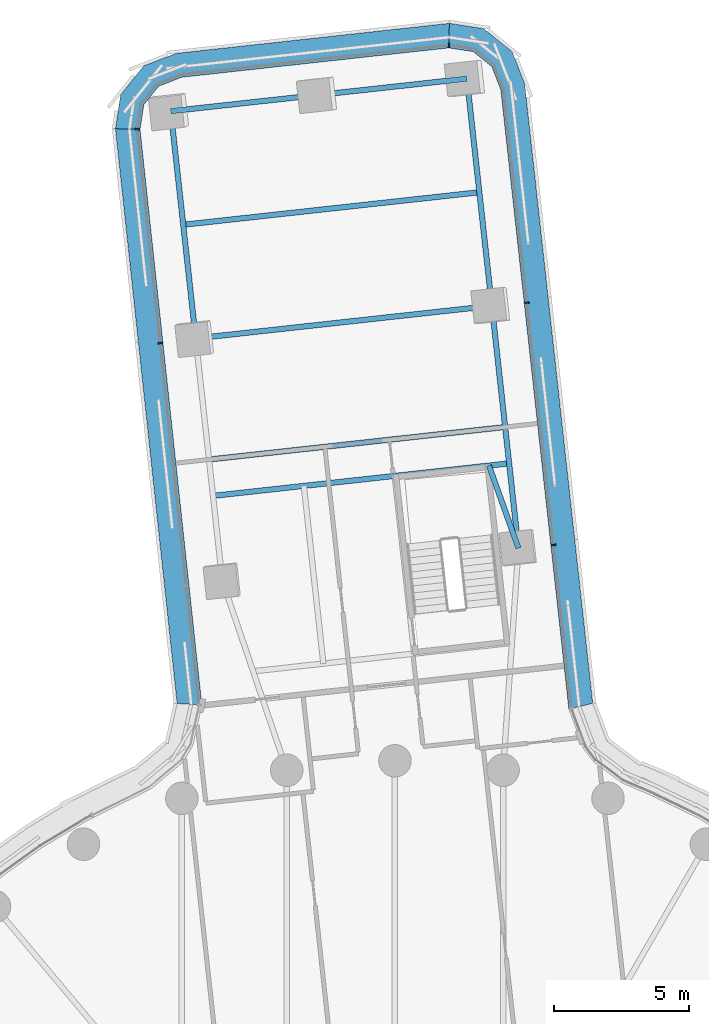
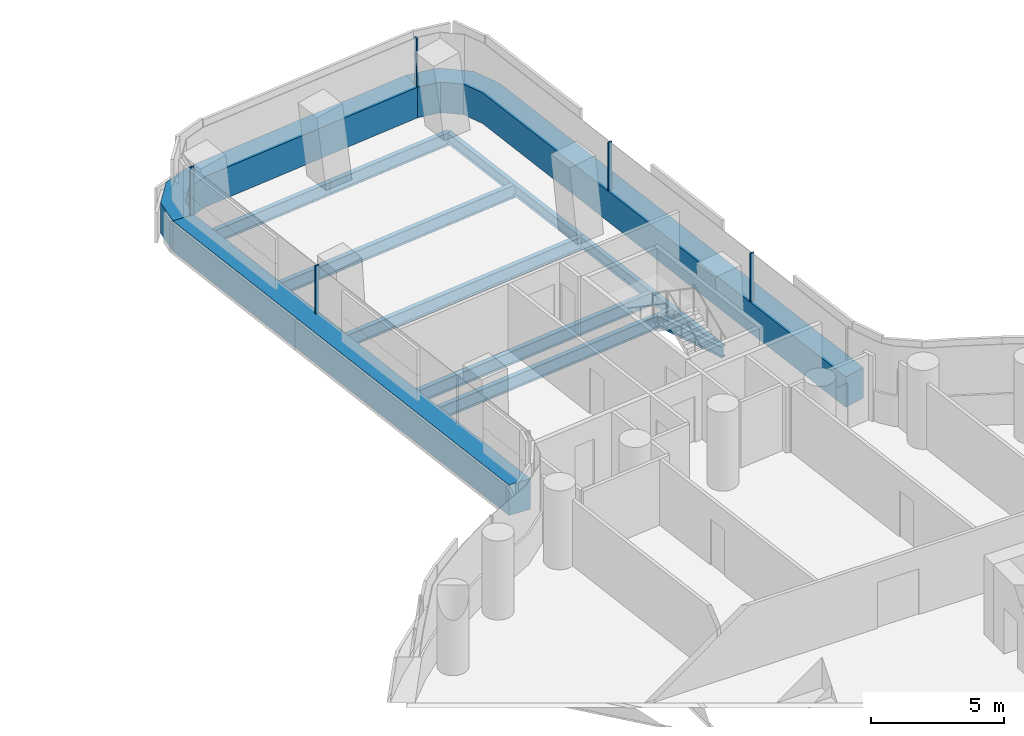
# One storey, part 15 of 31: 10 beams, 8 members, 3 elements without a shape of their own.
"""IFC4 building model written with IfcOpenShell, lengths in metres."""

from ifc_helpers import new_model, si_unit, direction, frame, origin, origin_2d, place, context, subcontext, project, spatial, polyline, rectangle, i_section, outline, extrude, material, layer, layer_set, material_profile, profile_set, type_object, element, aggregate, save


model = new_model("IFC4")

# Units and contexts
model_context = context("Model", 3, precision=1e-05, world=origin(), true_north=direction((0.0, 1.0)))
body_context = subcontext(model_context, "Body", "Model", "MODEL_VIEW")
ifc_project = project(units=[si_unit("LENGTHUNIT", "METRE"), si_unit("AREAUNIT", "SQUARE_METRE"), si_unit("VOLUMEUNIT", "CUBIC_METRE"), si_unit("PLANEANGLEUNIT", "RADIAN"), si_unit("MASSUNIT", "GRAM", prefix="KILO")], contexts=[model_context])

# Site, building, storey
site_placement = place(None, origin())
site = spatial("IfcSite", under=ifc_project, at=site_placement, CompositionType="ELEMENT")
building_placement = place(site_placement, origin())
building = spatial("IfcBuilding", under=site, at=building_placement, Name="Tamarind Cross Interchange Tower", CompositionType="ELEMENT")
storey_placement = place(building_placement, frame((0.0, 0.0, 56.5)))
storey = spatial("IfcBuildingStorey", under=building, at=storey_placement, Name="L12", CompositionType="ELEMENT", Elevation=56.5)

# Beams
ifc_material_1 = material(Name="Steel Q355B", Category="steel")
ifc_material_profile_1 = material_profile(ifc_material_1, i_section(OverallWidth=0.198974609375, OverallDepth=0.49609375, WebThickness=0.009033203125, FlangeThickness=0.013916015625, FilletRadius=0.012939453125, at=origin_2d()), Name="HN 496x199x9x14")
ifc_profile_set_1 = profile_set([ifc_material_profile_1], Name="Steel Q355B")
beam_type_1 = type_object("IfcBeamType", Name="Composite beam HN 496x199x9x14 Q355B", PredefinedType="BEAM", material=ifc_profile_set_1)
beam_1_placement = place(storey_placement, frame((2.656494140625, 48.186279296875, -0.387939453125), z_axis=(0.109202712726, -0.99401950058, 0.0), x_axis=(0.99401950058, 0.109202712726, 0.0)))
element("IfcBeam", 1, at=beam_1_placement, inside=storey, type_object=beam_type_1, Name="Beam N-edgeem5", PredefinedType="BEAM", context=body_context, shape_type="SweptSolid", body=[
    extrude(i_section(OverallWidth=0.198974609375, OverallDepth=0.49609375, WebThickness=0.009033203125, FlangeThickness=0.013916015625, FilletRadius=0.012939453125, at=origin_2d()), origin(), (0.0, 0.0, 1.0), 8.439697265625),
])
beam_2_placement = place(storey_placement, frame((3.578125, 39.797119140625, -0.387939453125), z_axis=(0.109183953287, -0.994021561308, 0.0), x_axis=(0.994021561308, 0.109183953287, 0.0)))
element("IfcBeam", 2, at=beam_2_placement, inside=storey, type_object=beam_type_1, Name="Beam N-edgeem6", PredefinedType="BEAM", context=body_context, shape_type="SweptSolid", body=[
    extrude(i_section(OverallWidth=0.198974609375, OverallDepth=0.49609375, WebThickness=0.009033203125, FlangeThickness=0.013916015625, FilletRadius=0.012939453125, at=origin_2d()), origin(), (0.0, 0.0, 1.0), 9.0),
])
beam_3_placement = place(storey_placement, frame((-8.277587890625, 46.985107421875, -0.387939453125), z_axis=(0.109174129691, -0.994022640289, 0.0), x_axis=(0.994022640289, 0.109174129691, 0.0)))
element("IfcBeam", 3, at=beam_3_placement, inside=storey, type_object=beam_type_1, Name="Beam N-edgeep2", PredefinedType="BEAM", context=body_context, shape_type="SweptSolid", body=[
    extrude(i_section(OverallWidth=0.198974609375, OverallDepth=0.49609375, WebThickness=0.009033203125, FlangeThickness=0.013916015625, FilletRadius=0.012939453125, at=origin_2d()), origin(), (0.0, 0.0, 1.0), 8.439697265625),
])
beam_4_placement = place(storey_placement, frame((4.560791015625, 30.850830078125, -0.387939453125), z_axis=(-0.33642236889, 0.941711202923, 0.0), x_axis=(-0.941711202923, -0.33642236889, 0.0)))
element("IfcBeam", 4, at=beam_4_placement, inside=storey, type_object=beam_type_1, Name="Beam N-tr0", PredefinedType="BEAM", context=body_context, shape_type="SweptSolid", body=[
    extrude(i_section(OverallWidth=0.198974609375, OverallDepth=0.49609375, WebThickness=0.009033203125, FlangeThickness=0.013916015625, FilletRadius=0.012939453125, at=origin_2d()), origin(), (0.0, 0.0, 1.0), 3.238037109375),
])
ifc_material_profile_2 = material_profile(ifc_material_1, i_section(OverallWidth=0.199951171875, OverallDepth=0.60009765625, WebThickness=0.010986328125, FlangeThickness=0.01708984375, FilletRadius=0.012939453125, at=origin_2d()), Name="HN 600x200x11x17")
ifc_profile_set_2 = profile_set([ifc_material_profile_2], Name="Steel Q355B")
beam_type_2 = type_object("IfcBeamType", Name="Composite beam HN 600x200x11x17 Q355B", PredefinedType="BEAM", material=ifc_profile_set_2)
for number, where, z_axis, x_axis, name in (
    (5, (2.656494140625, 48.186279296875, -0.43994140625), (-0.994019928967, -0.109198813257, 0.0), (0.109198813257, -0.994019928967, 0.0), "Beam N-tip0"),
    (6, (-2.810546875, 47.585693359375, -0.43994140625), (-0.994019928967, -0.109198813257, 0.0), (0.109198813257, -0.994019928967, 0.0), "Beam N-tip1"),
):
    element("IfcBeam", number, at=place(storey_placement, frame(where, z_axis=z_axis, x_axis=x_axis)), inside=storey, type_object=beam_type_2, Name=name, PredefinedType="BEAM", context=body_context, shape_type="SweptSolid", body=[
        extrude(i_section(OverallWidth=0.199951171875, OverallDepth=0.60009765625, WebThickness=0.010986328125, FlangeThickness=0.01708984375, FilletRadius=0.012939453125, at=origin_2d()), origin(), (0.0, 0.0, 1.0), 5.5),
    ])
beam_5_placement = place(storey_placement, frame((4.216796875, 33.982177734375, -0.43994140625), z_axis=(-0.994019928967, -0.109198813257, 0.0), x_axis=(0.109198813257, -0.994019928967, 0.0)))
element("IfcBeam", 7, at=beam_5_placement, inside=storey, type_object=beam_type_2, Name="Beam N-x334", PredefinedType="BEAM", context=body_context, shape_type="SweptSolid", body=[
    extrude(i_section(OverallWidth=0.199951171875, OverallDepth=0.60009765625, WebThickness=0.010986328125, FlangeThickness=0.01708984375, FilletRadius=0.012939453125, at=origin_2d()), origin(), (0.0, 0.0, 1.0), 10.999755859375),
])
beam_6_placement = place(storey_placement, frame((3.578125, 39.797119140625, -0.43994140625), z_axis=(-0.994020193618, -0.109196404149, 0.0), x_axis=(0.109196404149, -0.994020193618, 0.0)))
element("IfcBeam", 8, at=beam_6_placement, inside=storey, type_object=beam_type_2, Name="Beam N-x393", PredefinedType="BEAM", context=body_context, shape_type="SweptSolid", body=[
    extrude(i_section(OverallWidth=0.199951171875, OverallDepth=0.60009765625, WebThickness=0.010986328125, FlangeThickness=0.01708984375, FilletRadius=0.012939453125, at=origin_2d()), origin(), (0.0, 0.0, 1.0), 11.0),
])
for number, where, z_axis, x_axis, name in (
    (9, (4.0693359375, 35.323974609375, -0.43994140625), (-0.994019928967, -0.109198813257, 0.0), (0.109198813257, -0.994019928967, 0.0), "Beam N-x348"),
    (10, (3.1171875, 43.99169921875, -0.43994140625), (-0.994019928967, -0.109198813257, 0.0), (0.109198813257, -0.994019928967, 0.0), "Beam N-x435"),
):
    element("IfcBeam", number, at=place(storey_placement, frame(where, z_axis=z_axis, x_axis=x_axis)), inside=storey, type_object=beam_type_2, Name=name, PredefinedType="BEAM", context=body_context, shape_type="SweptSolid", body=[
        extrude(i_section(OverallWidth=0.199951171875, OverallDepth=0.60009765625, WebThickness=0.010986328125, FlangeThickness=0.01708984375, FilletRadius=0.012939453125, at=origin_2d()), origin(), (0.0, 0.0, 1.0), 10.999755859375),
    ])

# Curtain wall, member
ifc_material_2 = material(Name="Aluminium 6063-T6", Category="aluminium")
ifc_layer = layer(ifc_material_2, 0.159912109375)
ifc_layer_set = layer_set([ifc_layer], Name="Aluminium 6063-T6")
curtain_wall_type = type_object("IfcCurtainWallType", Name="Office curtain wall, 9.0 m bays", PredefinedType="NOTDEFINED", material=ifc_layer_set)
curtain_wall_1_placement = place(storey_placement, origin())
curtain_wall_1 = element("IfcCurtainWall", 11, at=curtain_wall_1_placement, inside=storey, type_object=curtain_wall_type, Name="CWS-L12-03", PredefinedType="NOTDEFINED")
ifc_material_3 = material(Name="Aluminium and insulated spandrel panel", Category="aluminium")
member_type_1 = type_object("IfcMemberType", Name="Floor-edge blade transom", PredefinedType="USERDEFINED", material=ifc_material_3)
member_1_placement = place(storey_placement, origin())
member_1 = element("IfcMember", 12, at=member_1_placement, type_object=member_type_1, Name="CWT-L12-03", ObjectType="TRANSOM", PredefinedType="USERDEFINED", context=body_context, shape_type="SweptSolid", body=[
    extrude(outline(polyline([(6.420654296875, 24.9091796875), (3.908203125, 47.781005859375), (3.576171875, 48.634033203125), (2.89404296875, 49.18115234375), (1.9892578125, 49.320068359375), (2.0087890625, 50.227783203125), (3.26904296875, 50.0341796875), (4.327392578125, 49.185302734375), (4.7900390625, 47.9970703125), (7.30322265625, 25.11865234375), (6.420654296875, 24.9091796875)])), origin(), (0.0, 0.0, 1.0), 1.39990234375),
])

curtain_wall_2_placement = place(storey_placement, origin())
curtain_wall_2 = element("IfcCurtainWall", 13, at=curtain_wall_2_placement, inside=storey, type_object=curtain_wall_type, Name="CWS-L12-04", PredefinedType="NOTDEFINED")
member_2_placement = place(storey_placement, origin())
member_2 = element("IfcMember", 14, at=member_2_placement, type_object=member_type_1, Name="CWT-L12-04", ObjectType="TRANSOM", PredefinedType="USERDEFINED", context=body_context, shape_type="SweptSolid", body=[
    extrude(outline(polyline([(1.9892578125, 49.320068359375), (-7.87255859375, 48.23681640625), (-8.7255859375, 47.90478515625), (-9.272705078125, 47.22265625), (-9.41162109375, 46.3173828125), (-10.319091796875, 46.338134765625), (-10.125732421875, 47.59765625), (-9.276611328125, 48.656005859375), (-8.088623046875, 49.118408203125), (2.0087890625, 50.227783203125), (1.9892578125, 49.320068359375)])), origin(), (0.0, 0.0, 1.0), 1.39990234375),
])

curtain_wall_3_placement = place(storey_placement, origin())
curtain_wall_3 = element("IfcCurtainWall", 15, at=curtain_wall_3_placement, inside=storey, type_object=curtain_wall_type, Name="CWS-L12-05", PredefinedType="NOTDEFINED")
member_3_placement = place(storey_placement, origin())
member_3 = element("IfcMember", 16, at=member_3_placement, type_object=member_type_1, Name="CWT-L12-05", ObjectType="TRANSOM", PredefinedType="USERDEFINED", context=body_context, shape_type="SweptSolid", body=[
    extrude(outline(polyline([(-9.41162109375, 46.3173828125), (-7.129638671875, 25.061279296875), (-8.040283203125, 25.111572265625), (-10.319091796875, 46.338134765625), (-9.41162109375, 46.3173828125)])), origin(), (0.0, 0.0, 1.0), 1.39990234375),
])

# Member
ifc_material_profile_3 = material_profile(ifc_material_2, rectangle(XDim=0.06005859375, YDim=0.159912109375, at=origin_2d()), Name="Mullion CW1")
ifc_profile_set_3 = profile_set([ifc_material_profile_3], Name="Aluminium 6063-T6")
member_type_2 = type_object("IfcMemberType", Name="Mullion CW1", PredefinedType="MULLION", material=ifc_profile_set_3)
member_4_placement = place(storey_placement, frame((5.855712890625, 30.9677734375, 1.39990234375), z_axis=(0.0, 0.0, 1.0), x_axis=(-0.109193040639, 0.994020563105, 0.0)))
member_4 = element("IfcMember", 17, at=member_4_placement, type_object=member_type_2, Name="CWM-L12-03-01", PredefinedType="MULLION", context=body_context, shape_type="SweptSolid", body=[
    extrude(rectangle(XDim=0.06005859375, YDim=0.159912109375, at=origin_2d()), origin(), (0.0, 0.0, 1.0), 2.210205078125),
])

member_5_placement = place(storey_placement, frame((4.873046875, 39.913330078125, 1.39990234375), z_axis=(0.0, 0.0, 1.0), x_axis=(-0.109193040639, 0.994020563105, 0.0)))
member_5 = element("IfcMember", 18, at=member_5_placement, type_object=member_type_2, Name="CWM-L12-03-02", PredefinedType="MULLION", context=body_context, shape_type="SweptSolid", body=[
    extrude(rectangle(XDim=0.06005859375, YDim=0.159912109375, at=origin_2d()), origin(), (0.0, 0.0, 1.0), 2.210205078125),
])

aggregate(curtain_wall_1, [member_4, member_5, member_1])

member_6_placement = place(storey_placement, frame((1.991455078125, 49.4208984375, 1.39990234375), z_axis=(0.0, 0.0, 1.0), x_axis=(-0.999769131202, 0.021486840051, 0.0)))
member_6 = element("IfcMember", 19, at=member_6_placement, type_object=member_type_2, Name="CWM-L12-04-00", PredefinedType="MULLION", context=body_context, shape_type="SweptSolid", body=[
    extrude(rectangle(XDim=0.06005859375, YDim=0.159912109375, at=origin_2d()), origin(), (0.0, 0.0, 1.0), 2.210205078125),
])

aggregate(curtain_wall_2, [member_6, member_2])

member_7_placement = place(storey_placement, frame((-9.512451171875, 46.31982421875, 1.39990234375), z_axis=(0.0, 0.0, 1.0), x_axis=(-0.022718454701, -0.999741902601, 0.0)))
member_7 = element("IfcMember", 20, at=member_7_placement, type_object=member_type_2, Name="CWM-L12-05-00", PredefinedType="MULLION", context=body_context, shape_type="SweptSolid", body=[
    extrude(rectangle(XDim=0.06005859375, YDim=0.159912109375, at=origin_2d()), origin(), (0.0, 0.0, 1.0), 2.210205078125),
])

member_8_placement = place(storey_placement, frame((-8.664794921875, 38.423095703125, 1.39990234375), z_axis=(0.0, 0.0, 1.0), x_axis=(0.106743612679, -0.994286578986, 0.0)))
member_8 = element("IfcMember", 21, at=member_8_placement, type_object=member_type_2, Name="CWM-L12-05-01", PredefinedType="MULLION", context=body_context, shape_type="SweptSolid", body=[
    extrude(rectangle(XDim=0.06005859375, YDim=0.159912109375, at=origin_2d()), origin(), (0.0, 0.0, 1.0), 2.210205078125),
])

aggregate(curtain_wall_3, [member_7, member_8, member_3])

save(model, "model.ifc")
